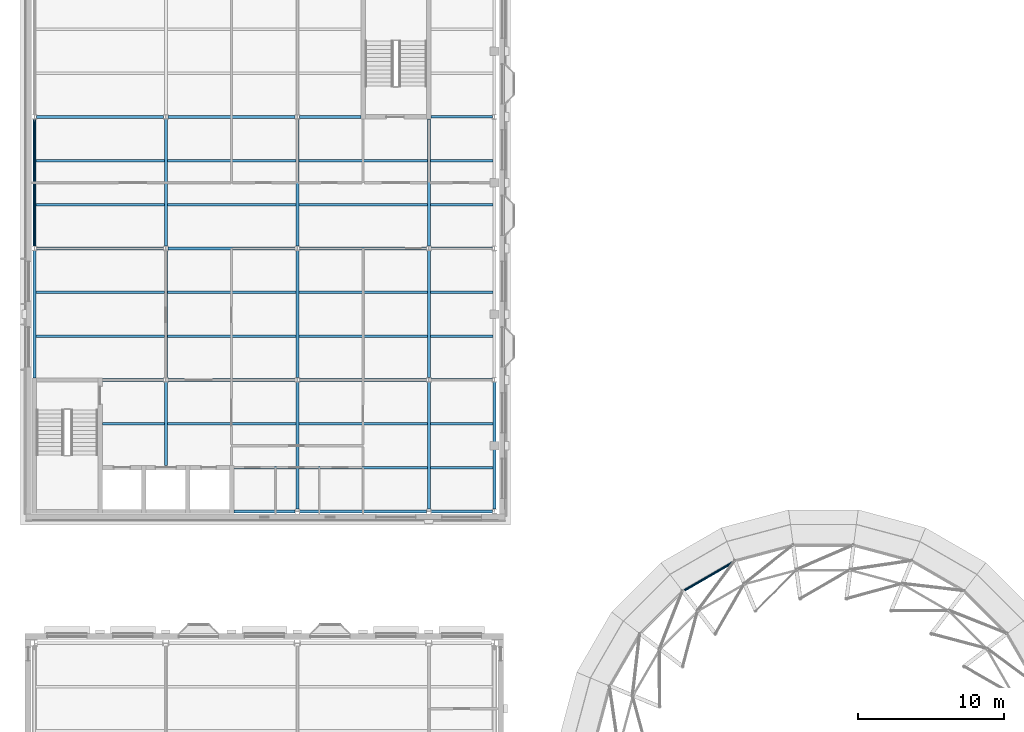
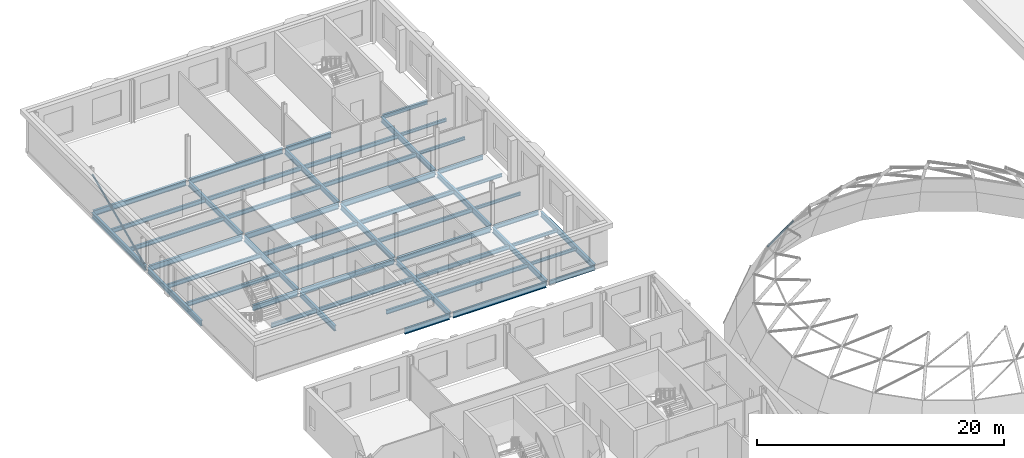
# One storey, part 8 of 62: 50 beams, 2 members.
"""IFC4 building model written with IfcOpenShell, lengths in metres."""

from ifc_helpers import new_model, si_unit, direction, frame, origin, origin_2d, place, context, subcontext, project, spatial, hollow_circle, i_section, extrude, material, material_profile, profile_set, type_object, element, save


model = new_model("IFC4")

# Units and contexts
model_context = context("Model", 3, precision=1e-05, world=origin(), true_north=direction((0.0, 1.0)))
body_context = subcontext(model_context, "Body", "Model", "MODEL_VIEW")
ifc_project = project(units=[si_unit("LENGTHUNIT", "METRE"), si_unit("AREAUNIT", "SQUARE_METRE"), si_unit("VOLUMEUNIT", "CUBIC_METRE"), si_unit("PLANEANGLEUNIT", "RADIAN"), si_unit("MASSUNIT", "GRAM", prefix="KILO")], contexts=[model_context])

# Site, building, storey
site_placement = place(None, origin())
site = spatial("IfcSite", under=ifc_project, at=site_placement, CompositionType="ELEMENT")
building_placement = place(site_placement, origin())
building = spatial("IfcBuilding", under=site, at=building_placement, Name="Hortulan Conservatory and Botanical Research Centre", CompositionType="ELEMENT")
storey_placement = place(building_placement, frame((0.0, 0.0, 15.0)))
storey = spatial("IfcBuildingStorey", under=building, at=storey_placement, Name="L03", CompositionType="ELEMENT", Elevation=15.0)

# Members
ifc_material_1 = material(Name="Steel Grade C350L0 (350 MPa, AS/NZS 1163)", Category="steel")
ifc_material_profile_1 = material_profile(ifc_material_1, hollow_circle(Radius=0.084228515625, WallThickness=0.00634765625, at=origin_2d()), Name="168.3x6.4CHS")
ifc_profile_set_1 = profile_set([ifc_material_profile_1], Name="Steel Grade C350L0 (350 MPa, AS/NZS 1163)")
member_type_1 = type_object("IfcMemberType", Name="Brace 168.3x6.4CHS", PredefinedType="BRACE", material=ifc_profile_set_1)
member_1_placement = place(storey_placement, frame((0.0, 54.157470703125, -0.3232421875), z_axis=(0.0, 0.912288697308, 0.409547717322), x_axis=(-1.0, 0.0, 0.0)))
element("IfcMember", 1, at=member_1_placement, inside=storey, type_object=member_type_1, Name="168.3x6.4CHS brace", PredefinedType="BRACE", context=body_context, shape_type="SweptSolid", body=[
    extrude(hollow_circle(Radius=0.084228515625, WallThickness=0.00634765625, at=origin_2d()), origin(), (0.0, 0.0, 1.0), 9.52001953125),
])
ifc_material_profile_2 = material_profile(ifc_material_1, hollow_circle(Radius=0.084228515625, WallThickness=0.00634765625, at=origin_2d()), Name="168.3x6.4CHS")
ifc_profile_set_2 = profile_set([ifc_material_profile_2], Name="Steel Grade C350L0 (350 MPa, AS/NZS 1163)")
member_type_2 = type_object("IfcMemberType", Name="Dome Ring 168.3x6.4 CHS", PredefinedType="PURLIN", material=ifc_profile_set_2)
member_2_placement = place(storey_placement, frame((47.95263671875, 32.599609375, 0.515380859375), z_axis=(-0.866009168642, -0.500028119036, 0.0), x_axis=(0.500028119036, -0.866009168642, 0.0)))
element("IfcMember", 2, at=member_2_placement, inside=storey, type_object=member_type_2, Name="Dome ring 2 chord 08", PredefinedType="PURLIN", context=body_context, shape_type="SweptSolid", body=[
    extrude(hollow_circle(Radius=0.084228515625, WallThickness=0.00634765625, at=origin_2d()), origin(), (0.0, 0.0, 1.0), 4.125244140625),
])

# Beams
ifc_material_2 = material(Name="Steel Grade 300PLUS (AS/NZS 3679.1, 280 MPa minimum yield)", Category="steel")
ifc_material_profile_3 = material_profile(ifc_material_2, i_section(OverallWidth=0.177978515625, OverallDepth=0.403076171875, WebThickness=0.007568359375, FlangeThickness=0.010986328125, FilletRadius=0.011474609375, at=origin_2d()), Name="410UB53.7")
ifc_profile_set_3 = profile_set([ifc_material_profile_3], Name="Steel Grade 300PLUS (AS/NZS 3679.1, 280 MPa minimum yield)")
beam_type_1 = type_object("IfcBeamType", Name="Primary Beam 410UB53.7", PredefinedType="BEAM", material=ifc_profile_set_3)
beam_1_placement = place(storey_placement, frame((27.157470703125, 36.0, -0.33154296875), z_axis=(1.0, 0.0, 0.0), x_axis=(0.0, 1.0, 0.0)))
element("IfcBeam", 3, at=beam_1_placement, inside=storey, type_object=beam_type_1, Name="410UB53.7 girder", PredefinedType="BEAM", context=body_context, shape_type="SweptSolid", body=[
    extrude(i_section(OverallWidth=0.177978515625, OverallDepth=0.403076171875, WebThickness=0.007568359375, FlangeThickness=0.010986328125, FilletRadius=0.011474609375, at=origin_2d()), origin(), (0.0, 0.0, 1.0), 4.18896484375),
])
for number, where, z_axis, x_axis, name in (
    (4, (27.153564453125, 45.0, -0.33154296875), (1.0, 0.0, 0.0), (0.0, 1.0, 0.0), "410UB53.7 girder"),
    (5, (27.153564453125, 54.0, -0.33154296875), (1.0, 0.0, 0.0), (0.0, 1.0, 0.0), "410UB53.7 girder"),
):
    element("IfcBeam", number, at=place(storey_placement, frame(where, z_axis=z_axis, x_axis=x_axis)), inside=storey, type_object=beam_type_1, Name=name, PredefinedType="BEAM", context=body_context, shape_type="SweptSolid", body=[
        extrude(i_section(OverallWidth=0.177978515625, OverallDepth=0.403076171875, WebThickness=0.007568359375, FlangeThickness=0.010986328125, FilletRadius=0.011474609375, at=origin_2d()), origin(), (0.0, 0.0, 1.0), 4.19287109375),
    ])
beam_2_placement = place(storey_placement, frame((27.14990234375, 63.0, -0.33154296875), z_axis=(1.0, 0.0, 0.0), x_axis=(0.0, 1.0, 0.0)))
element("IfcBeam", 6, at=beam_2_placement, inside=storey, type_object=beam_type_1, Name="410UB53.7 girder", PredefinedType="BEAM", context=body_context, shape_type="SweptSolid", body=[
    extrude(i_section(OverallWidth=0.177978515625, OverallDepth=0.403076171875, WebThickness=0.007568359375, FlangeThickness=0.010986328125, FilletRadius=0.011474609375, at=origin_2d()), origin(), (0.0, 0.0, 1.0), 4.196533203125),
])
ifc_material_profile_4 = material_profile(ifc_material_2, i_section(OverallWidth=0.208984375, OverallDepth=0.528076171875, WebThickness=0.009521484375, FlangeThickness=0.01318359375, FilletRadius=0.013916015625, at=origin_2d()), Name="530UB82.0")
ifc_profile_set_4 = profile_set([ifc_material_profile_4], Name="Steel Grade 300PLUS (AS/NZS 3679.1, 280 MPa minimum yield)")
beam_type_2 = type_object("IfcBeamType", Name="Primary Beam 530UB82.0", PredefinedType="BEAM", material=ifc_profile_set_4)
beam_3_placement = place(storey_placement, frame((0.0, 45.14990234375, -0.39404296875), z_axis=(0.0, 1.0, 0.0), x_axis=(-1.0, 0.0, 0.0)))
element("IfcBeam", 7, at=beam_3_placement, inside=storey, type_object=beam_type_2, Name="530UB82.0 girder", PredefinedType="BEAM", context=body_context, shape_type="SweptSolid", body=[
    extrude(i_section(OverallWidth=0.208984375, OverallDepth=0.528076171875, WebThickness=0.009521484375, FlangeThickness=0.01318359375, FilletRadius=0.013916015625, at=origin_2d()), origin(), (0.0, 0.0, 1.0), 8.692626953125),
])
beam_4_placement = place(storey_placement, frame((0.0, 54.157470703125, -0.39404296875), z_axis=(0.0, 1.0, 0.0), x_axis=(-1.0, 0.0, 0.0)))
element("IfcBeam", 8, at=beam_4_placement, inside=storey, type_object=beam_type_2, Name="530UB82.0 girder", PredefinedType="BEAM", context=body_context, shape_type="SweptSolid", body=[
    extrude(i_section(OverallWidth=0.208984375, OverallDepth=0.528076171875, WebThickness=0.009521484375, FlangeThickness=0.01318359375, FilletRadius=0.013916015625, at=origin_2d()), origin(), (0.0, 0.0, 1.0), 8.68505859375),
])
beam_5_placement = place(storey_placement, frame((13.64990234375, 36.0, -0.39404296875), z_axis=(1.0, 0.0, 0.0), x_axis=(0.0, 1.0, 0.0)))
element("IfcBeam", 9, at=beam_5_placement, inside=storey, type_object=beam_type_2, Name="530UB82.0 girder", PredefinedType="BEAM", context=body_context, shape_type="SweptSolid", body=[
    extrude(i_section(OverallWidth=0.208984375, OverallDepth=0.528076171875, WebThickness=0.009521484375, FlangeThickness=0.01318359375, FilletRadius=0.013916015625, at=origin_2d()), origin(), (0.0, 0.0, 1.0), 4.192626953125),
])
for number, where, z_axis, x_axis, name in (
    (10, (18.157470703125, 36.0, -0.39404296875), (1.0, 0.0, 0.0), (0.0, 1.0, 0.0), "530UB82.0 girder"),
    (11, (31.5, 36.157470703125, -0.39404296875), (0.0, 1.0, 0.0), (-1.0, 0.0, 0.0), "530UB82.0 girder"),
):
    element("IfcBeam", number, at=place(storey_placement, frame(where, z_axis=z_axis, x_axis=x_axis)), inside=storey, type_object=beam_type_2, Name=name, PredefinedType="BEAM", context=body_context, shape_type="SweptSolid", body=[
        extrude(i_section(OverallWidth=0.208984375, OverallDepth=0.528076171875, WebThickness=0.009521484375, FlangeThickness=0.01318359375, FilletRadius=0.013916015625, at=origin_2d()), origin(), (0.0, 0.0, 1.0), 8.68505859375),
    ])
ifc_material_profile_5 = material_profile(ifc_material_2, i_section(OverallWidth=0.208984375, OverallDepth=0.532958984375, WebThickness=0.01025390625, FlangeThickness=0.015625, FilletRadius=0.013916015625, at=origin_2d()), Name="530UB92.4")
ifc_profile_set_5 = profile_set([ifc_material_profile_5], Name="Steel Grade 300PLUS (AS/NZS 3679.1, 280 MPa minimum yield)")
beam_type_3 = type_object("IfcBeamType", Name="Primary Beam 530UB92.4", PredefinedType="BEAM", material=ifc_profile_set_5)
for number, where, z_axis, x_axis, name in (
    (12, (0.153564453125, 54.0, -0.396484375), (1.0, 0.0, 0.0), (0.0, 1.0, 0.0), "530UB92.4 girder"),
    (13, (0.153564453125, 63.0, -0.396484375), (1.0, 0.0, 0.0), (0.0, 1.0, 0.0), "530UB92.4 girder"),
):
    element("IfcBeam", number, at=place(storey_placement, frame(where, z_axis=z_axis, x_axis=x_axis)), inside=storey, type_object=beam_type_3, Name=name, PredefinedType="BEAM", context=body_context, shape_type="SweptSolid", body=[
        extrude(i_section(OverallWidth=0.208984375, OverallDepth=0.532958984375, WebThickness=0.01025390625, FlangeThickness=0.015625, FilletRadius=0.013916015625, at=origin_2d()), origin(), (0.0, 0.0, 1.0), 8.69287109375),
    ])
beam_6_placement = place(storey_placement, frame((4.64990234375, 45.0, -0.396484375), z_axis=(1.0, 0.0, 0.0), x_axis=(0.0, 1.0, 0.0)))
element("IfcBeam", 14, at=beam_6_placement, inside=storey, type_object=beam_type_3, Name="530UB92.4 girder", PredefinedType="BEAM", context=body_context, shape_type="SweptSolid", body=[
    extrude(i_section(OverallWidth=0.208984375, OverallDepth=0.532958984375, WebThickness=0.01025390625, FlangeThickness=0.015625, FilletRadius=0.013916015625, at=origin_2d()), origin(), (0.0, 0.0, 1.0), 4.196533203125),
])
beam_7_placement = place(storey_placement, frame((9.0, 39.14990234375, -0.396484375), z_axis=(0.0, 1.0, 0.0), x_axis=(-1.0, 0.0, 0.0)))
element("IfcBeam", 15, at=beam_7_placement, inside=storey, type_object=beam_type_3, Name="530UB92.4 girder", PredefinedType="BEAM", context=body_context, shape_type="SweptSolid", body=[
    extrude(i_section(OverallWidth=0.208984375, OverallDepth=0.532958984375, WebThickness=0.01025390625, FlangeThickness=0.015625, FilletRadius=0.013916015625, at=origin_2d()), origin(), (0.0, 0.0, 1.0), 5.692626953125),
])
beam_8_placement = place(storey_placement, frame((9.0, 45.157470703125, -0.396484375), z_axis=(0.0, 1.0, 0.0), x_axis=(-1.0, 0.0, 0.0)))
element("IfcBeam", 16, at=beam_8_placement, inside=storey, type_object=beam_type_3, Name="530UB92.4 girder", PredefinedType="BEAM", context=body_context, shape_type="SweptSolid", body=[
    extrude(i_section(OverallWidth=0.208984375, OverallDepth=0.532958984375, WebThickness=0.01025390625, FlangeThickness=0.015625, FilletRadius=0.013916015625, at=origin_2d()), origin(), (0.0, 0.0, 1.0), 8.68505859375),
])
beam_9_placement = place(storey_placement, frame((9.153564453125, 45.0, -0.396484375), z_axis=(1.0, 0.0, 0.0), x_axis=(0.0, 1.0, 0.0)))
element("IfcBeam", 17, at=beam_9_placement, inside=storey, type_object=beam_type_3, Name="530UB92.4 girder", PredefinedType="BEAM", context=body_context, shape_type="SweptSolid", body=[
    extrude(i_section(OverallWidth=0.208984375, OverallDepth=0.532958984375, WebThickness=0.01025390625, FlangeThickness=0.015625, FilletRadius=0.013916015625, at=origin_2d()), origin(), (0.0, 0.0, 1.0), 8.69287109375),
])
beam_10_placement = place(storey_placement, frame((9.0, 54.157470703125, -0.396484375), z_axis=(0.0, 1.0, 0.0), x_axis=(-1.0, 0.0, 0.0)))
element("IfcBeam", 18, at=beam_10_placement, inside=storey, type_object=beam_type_3, Name="530UB92.4 girder", PredefinedType="BEAM", context=body_context, shape_type="SweptSolid", body=[
    extrude(i_section(OverallWidth=0.208984375, OverallDepth=0.532958984375, WebThickness=0.01025390625, FlangeThickness=0.015625, FilletRadius=0.013916015625, at=origin_2d()), origin(), (0.0, 0.0, 1.0), 8.68505859375),
])
for number, where, z_axis, x_axis, name in (
    (19, (9.153564453125, 54.0, -0.396484375), (1.0, 0.0, 0.0), (0.0, 1.0, 0.0), "530UB92.4 girder"),
    (20, (9.153564453125, 63.0, -0.396484375), (1.0, 0.0, 0.0), (0.0, 1.0, 0.0), "530UB92.4 girder"),
):
    element("IfcBeam", number, at=place(storey_placement, frame(where, z_axis=z_axis, x_axis=x_axis)), inside=storey, type_object=beam_type_3, Name=name, PredefinedType="BEAM", context=body_context, shape_type="SweptSolid", body=[
        extrude(i_section(OverallWidth=0.208984375, OverallDepth=0.532958984375, WebThickness=0.01025390625, FlangeThickness=0.015625, FilletRadius=0.013916015625, at=origin_2d()), origin(), (0.0, 0.0, 1.0), 8.69287109375),
    ])
beam_11_placement = place(storey_placement, frame((18.0, 36.153564453125, -0.396484375), z_axis=(0.0, 1.0, 0.0), x_axis=(-1.0, 0.0, 0.0)))
element("IfcBeam", 21, at=beam_11_placement, inside=storey, type_object=beam_type_3, Name="530UB92.4 girder", PredefinedType="BEAM", context=body_context, shape_type="SweptSolid", body=[
    extrude(i_section(OverallWidth=0.208984375, OverallDepth=0.532958984375, WebThickness=0.01025390625, FlangeThickness=0.015625, FilletRadius=0.013916015625, at=origin_2d()), origin(), (0.0, 0.0, 1.0), 8.68896484375),
])
beam_12_placement = place(storey_placement, frame((18.0, 45.157470703125, -0.396484375), z_axis=(0.0, 1.0, 0.0), x_axis=(-1.0, 0.0, 0.0)))
element("IfcBeam", 22, at=beam_12_placement, inside=storey, type_object=beam_type_3, Name="530UB92.4 girder", PredefinedType="BEAM", context=body_context, shape_type="SweptSolid", body=[
    extrude(i_section(OverallWidth=0.208984375, OverallDepth=0.532958984375, WebThickness=0.01025390625, FlangeThickness=0.015625, FilletRadius=0.013916015625, at=origin_2d()), origin(), (0.0, 0.0, 1.0), 8.68505859375),
])
beam_13_placement = place(storey_placement, frame((18.153564453125, 45.0, -0.396484375), z_axis=(1.0, 0.0, 0.0), x_axis=(0.0, 1.0, 0.0)))
element("IfcBeam", 23, at=beam_13_placement, inside=storey, type_object=beam_type_3, Name="530UB92.4 girder", PredefinedType="BEAM", context=body_context, shape_type="SweptSolid", body=[
    extrude(i_section(OverallWidth=0.208984375, OverallDepth=0.532958984375, WebThickness=0.01025390625, FlangeThickness=0.015625, FilletRadius=0.013916015625, at=origin_2d()), origin(), (0.0, 0.0, 1.0), 8.69287109375),
])
beam_14_placement = place(storey_placement, frame((18.0, 54.157470703125, -0.396484375), z_axis=(0.0, 1.0, 0.0), x_axis=(-1.0, 0.0, 0.0)))
element("IfcBeam", 24, at=beam_14_placement, inside=storey, type_object=beam_type_3, Name="530UB92.4 girder", PredefinedType="BEAM", context=body_context, shape_type="SweptSolid", body=[
    extrude(i_section(OverallWidth=0.208984375, OverallDepth=0.532958984375, WebThickness=0.01025390625, FlangeThickness=0.015625, FilletRadius=0.013916015625, at=origin_2d()), origin(), (0.0, 0.0, 1.0), 8.68505859375),
])
beam_15_placement = place(storey_placement, frame((18.153564453125, 54.0, -0.396484375), z_axis=(1.0, 0.0, 0.0), x_axis=(0.0, 1.0, 0.0)))
element("IfcBeam", 25, at=beam_15_placement, inside=storey, type_object=beam_type_3, Name="530UB92.4 girder", PredefinedType="BEAM", context=body_context, shape_type="SweptSolid", body=[
    extrude(i_section(OverallWidth=0.208984375, OverallDepth=0.532958984375, WebThickness=0.01025390625, FlangeThickness=0.015625, FilletRadius=0.013916015625, at=origin_2d()), origin(), (0.0, 0.0, 1.0), 8.69287109375),
])
beam_16_placement = place(storey_placement, frame((18.153564453125, 63.0, -0.396484375), z_axis=(1.0, 0.0, 0.0), x_axis=(0.0, 1.0, 0.0)))
element("IfcBeam", 26, at=beam_16_placement, inside=storey, type_object=beam_type_3, Name="530UB92.4 girder", PredefinedType="BEAM", context=body_context, shape_type="SweptSolid", body=[
    extrude(i_section(OverallWidth=0.208984375, OverallDepth=0.532958984375, WebThickness=0.01025390625, FlangeThickness=0.015625, FilletRadius=0.013916015625, at=origin_2d()), origin(), (0.0, 0.0, 1.0), 4.196533203125),
])
beam_17_placement = place(storey_placement, frame((27.0, 36.153564453125, -0.396484375), z_axis=(0.0, 1.0, 0.0), x_axis=(-1.0, 0.0, 0.0)))
element("IfcBeam", 27, at=beam_17_placement, inside=storey, type_object=beam_type_3, Name="530UB92.4 girder", PredefinedType="BEAM", context=body_context, shape_type="SweptSolid", body=[
    extrude(i_section(OverallWidth=0.208984375, OverallDepth=0.532958984375, WebThickness=0.01025390625, FlangeThickness=0.015625, FilletRadius=0.013916015625, at=origin_2d()), origin(), (0.0, 0.0, 1.0), 8.68896484375),
])
beam_18_placement = place(storey_placement, frame((27.0, 45.157470703125, -0.396484375), z_axis=(0.0, 1.0, 0.0), x_axis=(-1.0, 0.0, 0.0)))
element("IfcBeam", 28, at=beam_18_placement, inside=storey, type_object=beam_type_3, Name="530UB92.4 girder", PredefinedType="BEAM", context=body_context, shape_type="SweptSolid", body=[
    extrude(i_section(OverallWidth=0.208984375, OverallDepth=0.532958984375, WebThickness=0.01025390625, FlangeThickness=0.015625, FilletRadius=0.013916015625, at=origin_2d()), origin(), (0.0, 0.0, 1.0), 8.68505859375),
])
beam_19_placement = place(storey_placement, frame((27.0, 54.157470703125, -0.396484375), z_axis=(0.0, 1.0, 0.0), x_axis=(-1.0, 0.0, 0.0)))
element("IfcBeam", 29, at=beam_19_placement, inside=storey, type_object=beam_type_3, Name="530UB92.4 girder", PredefinedType="BEAM", context=body_context, shape_type="SweptSolid", body=[
    extrude(i_section(OverallWidth=0.208984375, OverallDepth=0.532958984375, WebThickness=0.01025390625, FlangeThickness=0.015625, FilletRadius=0.013916015625, at=origin_2d()), origin(), (0.0, 0.0, 1.0), 8.692626953125),
])
ifc_material_profile_6 = material_profile(ifc_material_2, i_section(OverallWidth=0.1650390625, OverallDepth=0.303955078125, WebThickness=0.006103515625, FlangeThickness=0.01025390625, FilletRadius=0.011474609375, at=origin_2d()), Name="310UB40.4")
ifc_profile_set_6 = profile_set([ifc_material_profile_6], Name="Steel Grade 300PLUS (AS/NZS 3679.1, 280 MPa minimum yield)")
beam_type_4 = type_object("IfcBeamType", Name="Secondary Beam 310UB40.4", PredefinedType="JOIST", material=ifc_profile_set_6)
for number, where, z_axis, x_axis, name in (
    (30, (27.1044921875, 39.0, -0.281982421875), (1.0, 0.0, 0.0), (0.0, 1.0, 0.0), "310UB40.4 secondary beam"),
    (31, (27.1044921875, 42.0, -0.281982421875), (1.0, 0.0, 0.0), (0.0, 1.0, 0.0), "310UB40.4 secondary beam"),
    (32, (27.1044921875, 48.0, -0.281982421875), (1.0, 0.0, 0.0), (0.0, 1.0, 0.0), "310UB40.4 secondary beam"),
    (33, (27.1044921875, 51.0, -0.281982421875), (1.0, 0.0, 0.0), (0.0, 1.0, 0.0), "310UB40.4 secondary beam"),
    (34, (27.1044921875, 57.0, -0.281982421875), (1.0, 0.0, 0.0), (0.0, 1.0, 0.0), "310UB40.4 secondary beam"),
    (35, (27.1044921875, 60.0, -0.281982421875), (1.0, 0.0, 0.0), (0.0, 1.0, 0.0), "310UB40.4 secondary beam"),
):
    element("IfcBeam", number, at=place(storey_placement, frame(where, z_axis=z_axis, x_axis=x_axis)), inside=storey, type_object=beam_type_4, Name=name, PredefinedType="JOIST", context=body_context, shape_type="SweptSolid", body=[
        extrude(i_section(OverallWidth=0.1650390625, OverallDepth=0.303955078125, WebThickness=0.006103515625, FlangeThickness=0.01025390625, FilletRadius=0.011474609375, at=origin_2d()), origin(), (0.0, 0.0, 1.0), 4.291015625),
    ])
ifc_material_profile_7 = material_profile(ifc_material_2, i_section(OverallWidth=0.177978515625, OverallDepth=0.406005859375, WebThickness=0.0078125, FlangeThickness=0.0126953125, FilletRadius=0.011474609375, at=origin_2d()), Name="410UB59.7")
ifc_profile_set_7 = profile_set([ifc_material_profile_7], Name="Steel Grade 300PLUS (AS/NZS 3679.1, 280 MPa minimum yield)")
beam_type_5 = type_object("IfcBeamType", Name="Secondary Beam 410UB59.7", PredefinedType="JOIST", material=ifc_profile_set_7)
beam_20_placement = place(storey_placement, frame((4.64990234375, 42.0, -0.3330078125), z_axis=(1.0, 0.0, 0.0), x_axis=(0.0, 1.0, 0.0)))
element("IfcBeam", 36, at=beam_20_placement, inside=storey, type_object=beam_type_5, Name="410UB59.7 secondary beam", PredefinedType="JOIST", context=body_context, shape_type="SweptSolid", body=[
    extrude(i_section(OverallWidth=0.177978515625, OverallDepth=0.406005859375, WebThickness=0.0078125, FlangeThickness=0.0126953125, FilletRadius=0.011474609375, at=origin_2d()), origin(), (0.0, 0.0, 1.0), 4.24560546875),
])
for number, where, z_axis, x_axis, name in (
    (37, (0.1044921875, 48.0, -0.3330078125), (1.0, 0.0, 0.0), (0.0, 1.0, 0.0), "410UB59.7 secondary beam"),
    (38, (0.1044921875, 51.0, -0.3330078125), (1.0, 0.0, 0.0), (0.0, 1.0, 0.0), "410UB59.7 secondary beam"),
    (39, (0.1044921875, 57.0, -0.3330078125), (1.0, 0.0, 0.0), (0.0, 1.0, 0.0), "410UB59.7 secondary beam"),
    (40, (0.1044921875, 60.0, -0.3330078125), (1.0, 0.0, 0.0), (0.0, 1.0, 0.0), "410UB59.7 secondary beam"),
):
    element("IfcBeam", number, at=place(storey_placement, frame(where, z_axis=z_axis, x_axis=x_axis)), inside=storey, type_object=beam_type_5, Name=name, PredefinedType="JOIST", context=body_context, shape_type="SweptSolid", body=[
        extrude(i_section(OverallWidth=0.177978515625, OverallDepth=0.406005859375, WebThickness=0.0078125, FlangeThickness=0.0126953125, FilletRadius=0.011474609375, at=origin_2d()), origin(), (0.0, 0.0, 1.0), 8.791015625),
    ])
beam_21_placement = place(storey_placement, frame((13.64990234375, 39.0, -0.3330078125), z_axis=(1.0, 0.0, 0.0), x_axis=(0.0, 1.0, 0.0)))
element("IfcBeam", 41, at=beam_21_placement, inside=storey, type_object=beam_type_5, Name="410UB59.7 secondary beam", PredefinedType="JOIST", context=body_context, shape_type="SweptSolid", body=[
    extrude(i_section(OverallWidth=0.177978515625, OverallDepth=0.406005859375, WebThickness=0.0078125, FlangeThickness=0.0126953125, FilletRadius=0.011474609375, at=origin_2d()), origin(), (0.0, 0.0, 1.0), 4.24560546875),
])
for number, where, z_axis, x_axis, name in (
    (42, (9.1044921875, 42.0, -0.3330078125), (1.0, 0.0, 0.0), (0.0, 1.0, 0.0), "410UB59.7 secondary beam"),
    (43, (9.1044921875, 48.0, -0.3330078125), (1.0, 0.0, 0.0), (0.0, 1.0, 0.0), "410UB59.7 secondary beam"),
    (44, (9.1044921875, 51.0, -0.3330078125), (1.0, 0.0, 0.0), (0.0, 1.0, 0.0), "410UB59.7 secondary beam"),
    (45, (9.1044921875, 57.0, -0.3330078125), (1.0, 0.0, 0.0), (0.0, 1.0, 0.0), "410UB59.7 secondary beam"),
    (46, (9.1044921875, 60.0, -0.3330078125), (1.0, 0.0, 0.0), (0.0, 1.0, 0.0), "410UB59.7 secondary beam"),
    (47, (18.1044921875, 39.0, -0.3330078125), (1.0, 0.0, 0.0), (0.0, 1.0, 0.0), "410UB59.7 secondary beam"),
    (48, (18.1044921875, 42.0, -0.3330078125), (1.0, 0.0, 0.0), (0.0, 1.0, 0.0), "410UB59.7 secondary beam"),
    (49, (18.1044921875, 48.0, -0.3330078125), (1.0, 0.0, 0.0), (0.0, 1.0, 0.0), "410UB59.7 secondary beam"),
    (50, (18.1044921875, 51.0, -0.3330078125), (1.0, 0.0, 0.0), (0.0, 1.0, 0.0), "410UB59.7 secondary beam"),
    (51, (18.1044921875, 57.0, -0.3330078125), (1.0, 0.0, 0.0), (0.0, 1.0, 0.0), "410UB59.7 secondary beam"),
    (52, (18.1044921875, 60.0, -0.3330078125), (1.0, 0.0, 0.0), (0.0, 1.0, 0.0), "410UB59.7 secondary beam"),
):
    element("IfcBeam", number, at=place(storey_placement, frame(where, z_axis=z_axis, x_axis=x_axis)), inside=storey, type_object=beam_type_5, Name=name, PredefinedType="JOIST", context=body_context, shape_type="SweptSolid", body=[
        extrude(i_section(OverallWidth=0.177978515625, OverallDepth=0.406005859375, WebThickness=0.0078125, FlangeThickness=0.0126953125, FilletRadius=0.011474609375, at=origin_2d()), origin(), (0.0, 0.0, 1.0), 8.791015625),
    ])

save(model, "model.ifc")
